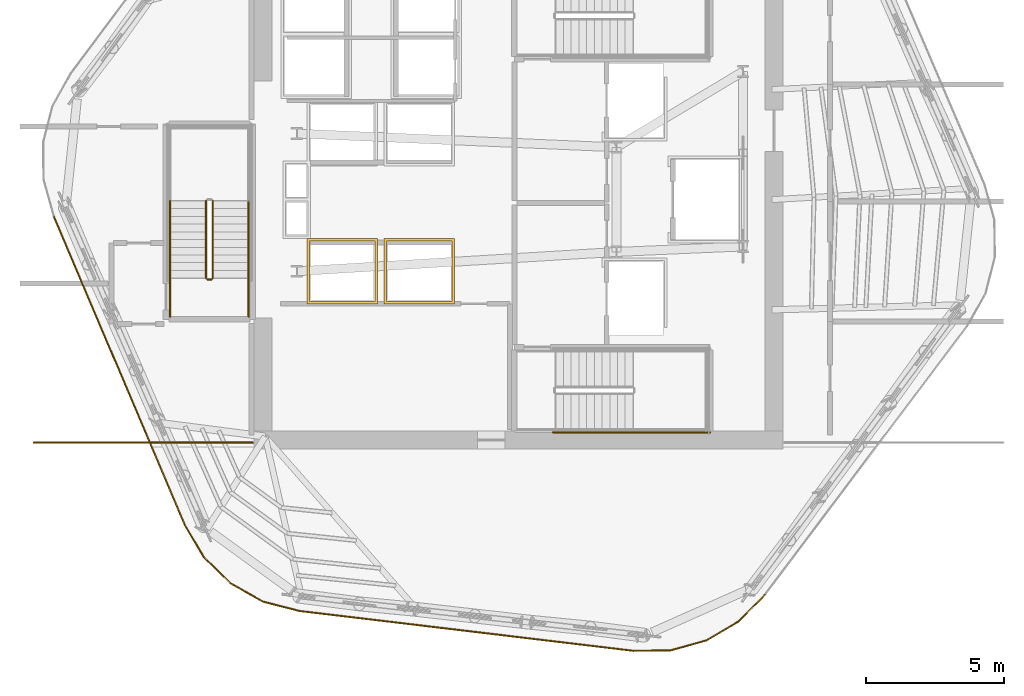
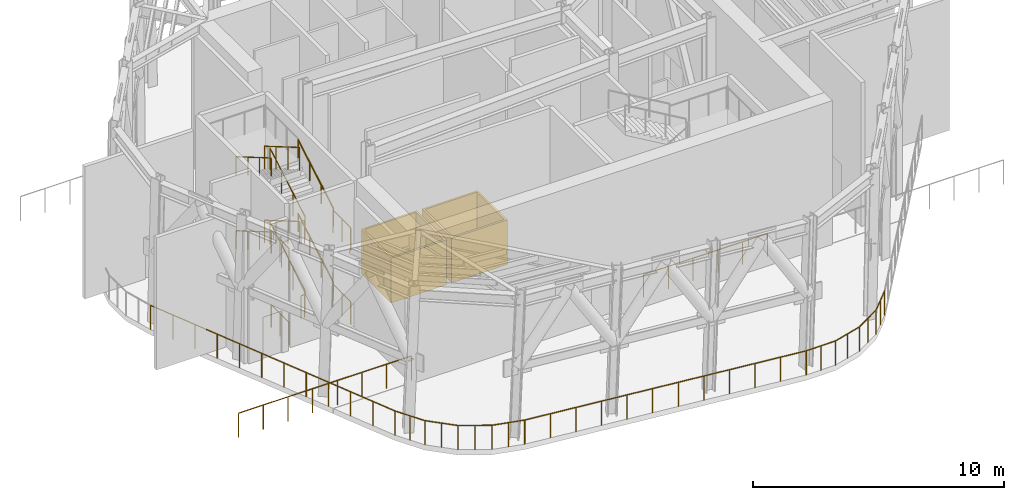
# One storey, part 7 of 10: 26 railings, 2 coverings.
"""IFC4 building model written with IfcOpenShell, lengths in metres."""

import ifcopenshell
import ifcopenshell.guid

model = None  # the IFC model being written
_history = None  # IfcOwnerHistory: only IFC2X3 demands one
_inside = {}  # id of a spatial element -> (the spatial element, [elements in it])
_under = {}  # id of a project, library or spatial element -> (it, [spatial elements below it])
_declared = {}  # id of a project -> (the project, [libraries it declares])
_typed = {}  # id of a type object -> (the type object, [elements of that type])
_made_of = {}  # id of a material, layer set ... -> (it, [elements and type objects made of it])


def new_model(schema):
    """Start an empty IFC model of exactly this schema.

    Asked for "IFC4X3", IfcOpenShell would pick the latest addendum, in which some entities
    have other attributes; the version numbers below select the first issue.
    IFC2X3 requires an IfcOwnerHistory on every rooted entity: one is made here for all.
    """
    global model, _history
    if schema == "IFC4X3":
        model = ifcopenshell.file(schema_version=(4, 3, 0, 0))
    else:
        model = ifcopenshell.file(schema=schema)
    _inside.clear()
    _under.clear()
    _declared.clear()
    _typed.clear()
    _made_of.clear()
    _history = None
    if model.schema == "IFC2X3":
        org = make("IfcOrganization", Name="unknown")
        user = make(
            "IfcPersonAndOrganization",
            ThePerson=make("IfcPerson", FamilyName="unknown"),
            TheOrganization=org,
        )
        app = make(
            "IfcApplication",
            ApplicationDeveloper=org,
            Version="unknown",
            ApplicationFullName="unknown",
            ApplicationIdentifier="unknown",
        )
        _history = make(
            "IfcOwnerHistory",
            OwningUser=user,
            OwningApplication=app,
            ChangeAction="ADDED",
            CreationDate=0,
        )
    return model


def make(cls, **values):
    """One entity of the class cls with the attributes given. An attribute that is None is left unset."""
    return model.create_entity(
        cls, **{name: value for name, value in values.items() if value is not None}
    )


def rooted(cls, **values):
    """An entity with a GlobalId (a new one), such as an element, a storey or a relation."""
    return make(cls, GlobalId=ifcopenshell.guid.new(), OwnerHistory=_history, **values)


def si_unit(unit_type, name, prefix=None):
    """IfcSIUnit, for example si_unit("LENGTHUNIT", "METRE", prefix="MILLI")."""
    return make("IfcSIUnit", UnitType=unit_type, Prefix=prefix, Name=name)


def assignment(units):
    """IfcUnitAssignment: the units of a project."""
    return None if units is None else make("IfcUnitAssignment", Units=units)


def point(xyz):
    """IfcCartesianPoint."""
    return None if xyz is None else make("IfcCartesianPoint", Coordinates=xyz)


def direction(xyz):
    """IfcDirection."""
    return None if xyz is None else make("IfcDirection", DirectionRatios=xyz)


def frame(location, z_axis=None, x_axis=None):
    """IfcAxis2Placement3D, a coordinate frame: its origin and axes. An axis left out is left unset."""
    return make(
        "IfcAxis2Placement3D",
        Location=point(location),
        Axis=direction(z_axis),
        RefDirection=direction(x_axis),
    )


def frame_2d(location, x_axis=None):
    """IfcAxis2Placement2D, a coordinate frame in the plane: its origin and x axis."""
    return make(
        "IfcAxis2Placement2D", Location=point(location), RefDirection=direction(x_axis)
    )


def origin():
    """The frame at (0, 0, 0) with its axes left unset."""
    return frame((0.0, 0.0, 0.0))


def origin_2d():
    """The frame at (0, 0) in the plane with its x axis left unset."""
    return frame_2d((0.0, 0.0))


def place(relative_to, where):
    """IfcLocalPlacement: puts the frame where relative to a parent placement (None: the world)."""
    return make(
        "IfcLocalPlacement", PlacementRelTo=relative_to, RelativePlacement=where
    )


def context(
    kind, dimensions, precision=None, world=None, true_north=None, identifier=None
):
    """IfcGeometricRepresentationContext, for example the 3D "Model" context."""
    return make(
        "IfcGeometricRepresentationContext",
        ContextIdentifier=identifier,
        ContextType=kind,
        CoordinateSpaceDimension=dimensions,
        Precision=precision,
        WorldCoordinateSystem=world,
        TrueNorth=true_north,
    )


def subcontext(parent, identifier, kind, view, scale=None):
    """IfcGeometricRepresentationSubContext, for example "Body" below "Model"."""
    return make(
        "IfcGeometricRepresentationSubContext",
        ContextIdentifier=identifier,
        ContextType=kind,
        ParentContext=parent,
        TargetScale=scale,
        TargetView=view,
    )


def project(units=None, contexts=None):
    """IfcProject with its units and contexts."""
    return rooted(
        "IfcProject",
        Name="project",
        RepresentationContexts=contexts,
        UnitsInContext=assignment(units),
    )


def spatial(cls, under=None, at=None, **own):
    """A site, building, storey or space (cls), placed at a placement, below another one or the project."""
    s = rooted(cls, ObjectPlacement=at, **own)
    if under is not None:
        _under.setdefault(under.id(), (under, []))[1].append(s)
    return s


def polyline(points):
    """IfcPolyline through the points."""
    return make("IfcPolyline", Points=[point(p) for p in points])


def profile(cls, at=None, kind="AREA", **sizes):
    """A parametric profile (cls). Its sizes go by their IFC names, for example OverallWidth=200.0."""
    return make(cls, ProfileType=kind, Position=at, **sizes)


def circle(**sizes):
    """IfcCircleProfileDef."""
    return profile("IfcCircleProfileDef", **sizes)


def outline(outer, holes=None, kind="AREA"):
    """IfcArbitraryClosedProfileDef: a profile drawn as a closed curve; with holes, ...WithVoids."""
    if holes is None:
        return make("IfcArbitraryClosedProfileDef", ProfileType=kind, OuterCurve=outer)
    return make(
        "IfcArbitraryProfileDefWithVoids",
        ProfileType=kind,
        OuterCurve=outer,
        InnerCurves=holes,
    )


def extrude(swept, where, along, depth):
    """IfcExtrudedAreaSolid: the profile swept, set in the frame where, extruded along a direction by depth."""
    return make(
        "IfcExtrudedAreaSolid",
        SweptArea=swept,
        Position=where,
        ExtrudedDirection=direction(along),
        Depth=depth,
    )


def shape(context_of_items, identifier, shape_type, items):
    """IfcShapeRepresentation: the items that make up one representation, for example the "Body"."""
    return make(
        "IfcShapeRepresentation",
        ContextOfItems=context_of_items,
        RepresentationIdentifier=identifier,
        RepresentationType=shape_type,
        Items=items,
    )


def material(Name=None, Category=None):
    """IfcMaterial."""
    return make("IfcMaterial", Name=Name, Category=Category)


def layer(
    of_material, thickness, ventilated=None, Name=None, Category=None, Priority=None
):
    """IfcMaterialLayer: one layer of a wall or slab, of a material (None: an air gap)."""
    return make(
        "IfcMaterialLayer",
        Material=of_material,
        LayerThickness=thickness,
        IsVentilated=ventilated,
        Name=Name,
        Category=Category,
        Priority=Priority,
    )


def layer_set(layers, Name=None):
    """IfcMaterialLayerSet."""
    return make("IfcMaterialLayerSet", MaterialLayers=layers, LayerSetName=Name)


def made_of(thing, what):
    """Note that an element or type object is made of a material, layer set ...; save() writes the relation."""
    if what is not None:
        _made_of.setdefault(what.id(), (what, []))[1].append(thing)
    return thing


def type_object(cls, material=None, **own):
    """A type object (cls), such as IfcWallType, which elements share."""
    return made_of(rooted(cls, **own), material)


def element(
    cls,
    number,
    at=None,
    inside=None,
    cuts=None,
    type_object=None,
    material=None,
    context=None,
    identifier="Body",
    shape_type=None,
    held_by="IfcProductDefinitionShape",
    body=None,
    shapes=None,
    **own,
):
    """One element of the class cls, such as IfcWall. Its Tag is "e" and its number.

    at: its placement. inside: the storey or other place that contains it. cuts: it is an
    opening in that element (IfcRelVoidsElement). A single representation is given by context,
    identifier, shape_type and body (its items); several are given by shapes. held_by: the class
    of the entity that holds the representations. save() writes the other relations.
    """
    e = rooted(cls, Tag="e%d" % number, ObjectPlacement=at, **own)
    if body is not None:
        shapes = [shape(context, identifier, shape_type, body)]
    if shapes is not None:
        e.Representation = make(held_by, Representations=shapes)
    if inside is not None:
        _inside.setdefault(inside.id(), (inside, []))[1].append(e)
    if cuts is not None:
        rooted(
            "IfcRelVoidsElement", RelatingBuildingElement=cuts, RelatedOpeningElement=e
        )
    if type_object is not None:
        _typed.setdefault(type_object.id(), (type_object, []))[1].append(e)
    return made_of(e, material)


def aggregate(whole, parts):
    """IfcRelAggregates: a whole, such as a stair, and the parts it consists of."""
    return rooted("IfcRelAggregates", RelatingObject=whole, RelatedObjects=parts)


def save(model, path):
    """Write the relations noted so far, then the file.

    IfcRelAggregates (storeys below a building ...), IfcRelContainedInSpatialStructure (elements
    in a storey), IfcRelDefinesByType, IfcRelAssociatesMaterial and IfcRelDeclares: one each for
    every whole, place, type object, material and project.
    """
    for whole, parts in _under.values():
        aggregate(whole, parts)
    for where, things in _inside.values():
        rooted(
            "IfcRelContainedInSpatialStructure",
            RelatedElements=things,
            RelatingStructure=where,
        )
    for kind, things in _typed.values():
        rooted("IfcRelDefinesByType", RelatedObjects=things, RelatingType=kind)
    for what, things in _made_of.values():
        rooted("IfcRelAssociatesMaterial", RelatedObjects=things, RelatingMaterial=what)
    for by, libraries in _declared.values():
        rooted("IfcRelDeclares", RelatingContext=by, RelatedDefinitions=libraries)
    model.write(path)


model = new_model("IFC4")

# Units and contexts
model_context = context("Model", 3, precision=1e-05, world=origin(), true_north=direction((0.0, 1.0)))
body_context = subcontext(model_context, "Body", "Model", "MODEL_VIEW")
ifc_project = project(units=[si_unit("LENGTHUNIT", "METRE"), si_unit("AREAUNIT", "SQUARE_METRE"), si_unit("VOLUMEUNIT", "CUBIC_METRE"), si_unit("PLANEANGLEUNIT", "RADIAN"), si_unit("MASSUNIT", "GRAM", prefix="KILO")], contexts=[model_context])

# Site, building, storey
site_placement = place(None, origin())
site = spatial("IfcSite", under=ifc_project, at=site_placement, CompositionType="ELEMENT")
building_placement = place(site_placement, origin())
building = spatial("IfcBuilding", under=site, at=building_placement, Name="Valkerne Bourse Tower", CompositionType="ELEMENT")
storey_placement = place(building_placement, frame((0.0, 0.0, 251.199951171875)))
storey = spatial("IfcBuildingStorey", under=building, at=storey_placement, Name="L64", CompositionType="ELEMENT", Elevation=251.199951171875)

# Coverings
ifc_material_1 = material(Name="Gypsum Shaftwall Liner Board", Category="gypsum")
ifc_layer = layer(ifc_material_1, 0.080078125)
ifc_layer_set = layer_set([ifc_layer], Name="Gypsum Shaftwall Liner Board")
covering_type = type_object("IfcCoveringType", Name="COV-SHF-CLAD", PredefinedType="CLADDING", material=ifc_layer_set)
covering_1_placement = place(storey_placement, origin())
element("IfcCovering", 1, at=covering_1_placement, inside=storey, type_object=covering_type, Name="L64 Hoistway & Riser Shaftwall Liner 01", PredefinedType="CLADDING", context=body_context, shape_type="SweptSolid", body=[
    extrude(outline(polyline([(41.679931640625, 25.580078125), (41.679931640625, 23.219970703125), (39.1201171875, 23.219970703125), (39.1201171875, 25.580078125), (41.679931640625, 25.580078125)]), holes=[polyline([(41.590087890625, 25.489990234375), (39.2099609375, 25.489990234375), (39.2099609375, 23.31005859375), (41.590087890625, 23.31005859375), (41.590087890625, 25.489990234375)])]), origin(), (0.0, 0.0, 1.0), 2.179931640625),
])
covering_2_placement = place(storey_placement, origin())
element("IfcCovering", 2, at=covering_2_placement, inside=storey, type_object=covering_type, Name="L64 Hoistway & Riser Shaftwall Liner 02", PredefinedType="CLADDING", context=body_context, shape_type="SweptSolid", body=[
    extrude(outline(polyline([(44.47998046875, 23.219970703125), (41.919921875, 23.219970703125), (41.919921875, 25.580078125), (44.47998046875, 25.580078125), (44.47998046875, 23.219970703125)]), holes=[polyline([(42.010009765625, 25.489990234375), (42.010009765625, 23.31005859375), (44.389892578125, 23.31005859375), (44.389892578125, 25.489990234375), (42.010009765625, 25.489990234375)])]), origin(), (0.0, 0.0, 1.0), 2.179931640625),
])

# Railings
ifc_material_2 = material(Name="Stainless Steel AISI 316", Category="steel")
railing_type_1 = type_object("IfcRailingType", Name="RLG-PORTAL-1200", PredefinedType="GUARDRAIL", material=ifc_material_2)
railing_1_placement = place(storey_placement, frame((29.90966796875, 26.425048828125, 0.0)))
element("IfcRailing", 3, at=railing_1_placement, inside=storey, type_object=railing_type_1, Name="L64 Perimeter Guard Railing GRD-L64-HEX-15", PredefinedType="GUARDRAIL", context=body_context, shape_type="SweptSolid", body=[
    extrude(circle(Radius=0.02392578125, at=origin_2d()), frame((0.0, 0.0, 1.17578125), z_axis=(0.390815368318, -0.920469091217, 0.0), x_axis=(0.920469091217, 0.390815368318, 0.0)), (0.0, 0.0, 1.0), 12.207275390625),
    extrude(circle(Radius=0.02099609375, at=origin_2d()), origin(), (0.0, 0.0, 1.0), 1.15185546875),
    extrude(circle(Radius=0.02099609375, at=origin_2d()), frame((0.43359375, -1.021484375, 0.0)), (0.0, 0.0, 1.0), 1.15185546875),
    extrude(circle(Radius=0.02099609375, at=origin_2d()), frame((0.867431640625, -2.04296875, 0.0)), (0.0, 0.0, 1.0), 1.15185546875),
    extrude(circle(Radius=0.02099609375, at=origin_2d()), frame((1.301025390625, -3.064453125, 0.0)), (0.0, 0.0, 1.0), 1.15185546875),
    extrude(circle(Radius=0.02099609375, at=origin_2d()), frame((1.73486328125, -4.0859375, 0.0)), (0.0, 0.0, 1.0), 1.15185546875),
    extrude(circle(Radius=0.02099609375, at=origin_2d()), frame((2.16845703125, -5.107421875, 0.0)), (0.0, 0.0, 1.0), 1.15185546875),
    extrude(circle(Radius=0.02099609375, at=origin_2d()), frame((2.602294921875, -6.12890625, 0.0)), (0.0, 0.0, 1.0), 1.15185546875),
    extrude(circle(Radius=0.02099609375, at=origin_2d()), frame((3.035888671875, -7.150390625, 0.0)), (0.0, 0.0, 1.0), 1.15185546875),
    extrude(circle(Radius=0.02099609375, at=origin_2d()), frame((3.4697265625, -8.171875, 0.0)), (0.0, 0.0, 1.0), 1.15185546875),
    extrude(circle(Radius=0.02099609375, at=origin_2d()), frame((3.9033203125, -9.193359375, 0.0)), (0.0, 0.0, 1.0), 1.15185546875),
    extrude(circle(Radius=0.02099609375, at=origin_2d()), frame((4.337158203125, -10.21484375, 0.0)), (0.0, 0.0, 1.0), 1.15185546875),
    extrude(circle(Radius=0.02099609375, at=origin_2d()), frame((4.770751953125, -11.236328125, 0.0)), (0.0, 0.0, 1.0), 1.15185546875),
])
railing_2_placement = place(storey_placement, frame((34.680419921875, 15.188720703125, 0.0)))
element("IfcRailing", 4, at=railing_2_placement, inside=storey, type_object=railing_type_1, Name="L64 Perimeter Guard Railing GRD-L64-HEX-16", PredefinedType="GUARDRAIL", context=body_context, shape_type="SweptSolid", body=[
    extrude(circle(Radius=0.02392578125, at=origin_2d()), frame((0.0, 0.0, 1.17578125), z_axis=(0.509117024291, -0.860697307755, 0.0), x_axis=(0.860697307755, 0.509117024291, 0.0)), (0.0, 0.0, 1.0), 1.357666015625),
    extrude(circle(Radius=0.02099609375, at=origin_2d()), origin(), (0.0, 0.0, 1.0), 1.15185546875),
    extrude(circle(Radius=0.02099609375, at=origin_2d()), frame((0.345703125, -0.584228515625, 0.0)), (0.0, 0.0, 1.0), 1.15185546875),
    extrude(circle(Radius=0.02099609375, at=origin_2d()), frame((0.691162109375, -1.16845703125, 0.0)), (0.0, 0.0, 1.0), 1.15185546875),
])
railing_3_placement = place(storey_placement, frame((35.37158203125, 14.020263671875, 0.0)))
element("IfcRailing", 5, at=railing_3_placement, inside=storey, type_object=railing_type_1, Name="L64 Perimeter Guard Railing GRD-L64-HEX-17", PredefinedType="GUARDRAIL", context=body_context, shape_type="SweptSolid", body=[
    extrude(circle(Radius=0.02392578125, at=origin_2d()), frame((0.0, 0.0, 1.17578125), z_axis=(0.714353076997, -0.699785453825, 0.0), x_axis=(0.699785453825, 0.714353076997, 0.0)), (0.0, 0.0, 1.0), 1.357421875),
    extrude(circle(Radius=0.02099609375, at=origin_2d()), origin(), (0.0, 0.0, 1.0), 1.15185546875),
    extrude(circle(Radius=0.02099609375, at=origin_2d()), frame((0.48486328125, -0.47509765625, 0.0)), (0.0, 0.0, 1.0), 1.15185546875),
    extrude(circle(Radius=0.02099609375, at=origin_2d()), frame((0.9697265625, -0.949951171875, 0.0)), (0.0, 0.0, 1.0), 1.15185546875),
])
railing_4_placement = place(storey_placement, frame((36.34130859375, 13.0703125, 0.0)))
element("IfcRailing", 6, at=railing_4_placement, inside=storey, type_object=railing_type_1, Name="L64 Perimeter Guard Railing GRD-L64-HEX-18", PredefinedType="GUARDRAIL", context=body_context, shape_type="SweptSolid", body=[
    extrude(circle(Radius=0.02392578125, at=origin_2d()), frame((0.0, 0.0, 1.17578125), z_axis=(0.871248711082, -0.490841811012, 0.0), x_axis=(0.490841811012, 0.871248711082, 0.0)), (0.0, 0.0, 1.0), 1.357421875),
    extrude(circle(Radius=0.02099609375, at=origin_2d()), origin(), (0.0, 0.0, 1.0), 1.15185546875),
    extrude(circle(Radius=0.02099609375, at=origin_2d()), frame((0.59130859375, -0.3330078125, 0.0)), (0.0, 0.0, 1.0), 1.15185546875),
    extrude(circle(Radius=0.02099609375, at=origin_2d()), frame((1.1826171875, -0.666259765625, 0.0)), (0.0, 0.0, 1.0), 1.15185546875),
])
railing_5_placement = place(storey_placement, frame((37.52392578125, 12.404052734375, 0.0)))
element("IfcRailing", 7, at=railing_5_placement, inside=storey, type_object=railing_type_1, Name="L64 Perimeter Guard Railing GRD-L64-HEX-19", PredefinedType="GUARDRAIL", context=body_context, shape_type="SweptSolid", body=[
    extrude(circle(Radius=0.02392578125, at=origin_2d()), frame((0.0, 0.0, 1.17578125), z_axis=(0.968578385495, -0.248708486287, 0.0), x_axis=(0.248708486287, 0.968578385495, 0.0)), (0.0, 0.0, 1.0), 1.357666015625),
    extrude(circle(Radius=0.02099609375, at=origin_2d()), origin(), (0.0, 0.0, 1.0), 1.15185546875),
    extrude(circle(Radius=0.02099609375, at=origin_2d()), frame((0.657470703125, -0.1689453125, 0.0)), (0.0, 0.0, 1.0), 1.15185546875),
    extrude(circle(Radius=0.02099609375, at=origin_2d()), frame((1.31494140625, -0.337646484375, 0.0)), (0.0, 0.0, 1.0), 1.15185546875),
])
railing_6_placement = place(storey_placement, frame((38.8388671875, 12.06640625, 0.0)))
element("IfcRailing", 8, at=railing_6_placement, inside=storey, type_object=railing_type_1, Name="L64 Perimeter Guard Railing GRD-L64-HEX-20", PredefinedType="GUARDRAIL", context=body_context, shape_type="SweptSolid", body=[
    extrude(circle(Radius=0.02392578125, at=origin_2d()), frame((0.0, 0.0, 1.17578125), z_axis=(0.99295441666, -0.118496946942, 0.0), x_axis=(0.118496946942, 0.99295441666, 0.0)), (0.0, 0.0, 1.0), 12.207275390625),
    extrude(circle(Radius=0.02099609375, at=origin_2d()), origin(), (0.0, 0.0, 1.0), 1.15185546875),
    extrude(circle(Radius=0.02099609375, at=origin_2d()), frame((1.10205078125, -0.131591796875, 0.0)), (0.0, 0.0, 1.0), 1.15185546875),
    extrude(circle(Radius=0.02099609375, at=origin_2d()), frame((2.203857421875, -0.262939453125, 0.0)), (0.0, 0.0, 1.0), 1.15185546875),
    extrude(circle(Radius=0.02099609375, at=origin_2d()), frame((3.305908203125, -0.39453125, 0.0)), (0.0, 0.0, 1.0), 1.15185546875),
    extrude(circle(Radius=0.02099609375, at=origin_2d()), frame((4.40771484375, -0.526123046875, 0.0)), (0.0, 0.0, 1.0), 1.15185546875),
    extrude(circle(Radius=0.02099609375, at=origin_2d()), frame((5.509765625, -0.657470703125, 0.0)), (0.0, 0.0, 1.0), 1.15185546875),
    extrude(circle(Radius=0.02099609375, at=origin_2d()), frame((6.611572265625, -0.7890625, 0.0)), (0.0, 0.0, 1.0), 1.15185546875),
    extrude(circle(Radius=0.02099609375, at=origin_2d()), frame((7.713623046875, -0.92041015625, 0.0)), (0.0, 0.0, 1.0), 1.15185546875),
    extrude(circle(Radius=0.02099609375, at=origin_2d()), frame((8.8154296875, -1.052001953125, 0.0)), (0.0, 0.0, 1.0), 1.15185546875),
    extrude(circle(Radius=0.02099609375, at=origin_2d()), frame((9.91748046875, -1.18359375, 0.0)), (0.0, 0.0, 1.0), 1.15185546875),
    extrude(circle(Radius=0.02099609375, at=origin_2d()), frame((11.019287109375, -1.31494140625, 0.0)), (0.0, 0.0, 1.0), 1.15185546875),
    extrude(circle(Radius=0.02099609375, at=origin_2d()), frame((12.121337890625, -1.446533203125, 0.0)), (0.0, 0.0, 1.0), 1.15185546875),
])
railing_7_placement = place(storey_placement, frame((50.960205078125, 10.619873046875, 0.0)))
element("IfcRailing", 9, at=railing_7_placement, inside=storey, type_object=railing_type_1, Name="L64 Perimeter Guard Railing GRD-L64-HEX-21", PredefinedType="GUARDRAIL", context=body_context, shape_type="SweptSolid", body=[
    extrude(circle(Radius=0.02392578125, at=origin_2d()), frame((0.0, 0.0, 1.17578125), z_axis=(0.999945575157, 0.010432963367, 0.0), x_axis=(-0.010432963367, 0.999945575157, 0.0)), (0.0, 0.0, 1.0), 1.357177734375),
    extrude(circle(Radius=0.02099609375, at=origin_2d()), origin(), (0.0, 0.0, 1.0), 1.15185546875),
    extrude(circle(Radius=0.02099609375, at=origin_2d()), frame((0.6787109375, 0.007080078125, 0.0)), (0.0, 0.0, 1.0), 1.15185546875),
    extrude(circle(Radius=0.02099609375, at=origin_2d()), frame((1.357177734375, 0.01416015625, 0.0)), (0.0, 0.0, 1.0), 1.15185546875),
])
railing_8_placement = place(storey_placement, frame((52.3173828125, 10.634033203125, 0.0)))
element("IfcRailing", 10, at=railing_8_placement, inside=storey, type_object=railing_type_1, Name="L64 Perimeter Guard Railing GRD-L64-HEX-22", PredefinedType="GUARDRAIL", context=body_context, shape_type="SweptSolid", body=[
    extrude(circle(Radius=0.02392578125, at=origin_2d()), frame((0.0, 0.0, 1.17578125), z_axis=(0.963135643856, 0.269016229128, 0.0), x_axis=(-0.269016229128, 0.963135643856, 0.0)), (0.0, 0.0, 1.0), 1.357666015625),
    extrude(circle(Radius=0.02099609375, at=origin_2d()), origin(), (0.0, 0.0, 1.0), 1.15185546875),
    extrude(circle(Radius=0.02099609375, at=origin_2d()), frame((0.65380859375, 0.1826171875, 0.0)), (0.0, 0.0, 1.0), 1.15185546875),
    extrude(circle(Radius=0.02099609375, at=origin_2d()), frame((1.3076171875, 0.365234375, 0.0)), (0.0, 0.0, 1.0), 1.15185546875),
])
railing_9_placement = place(storey_placement, frame((53.625, 10.999267578125, 0.0)))
element("IfcRailing", 11, at=railing_9_placement, inside=storey, type_object=railing_type_1, Name="L64 Perimeter Guard Railing GRD-L64-HEX-23", PredefinedType="GUARDRAIL", context=body_context, shape_type="SweptSolid", body=[
    extrude(circle(Radius=0.02392578125, at=origin_2d()), frame((0.0, 0.0, 1.17578125), z_axis=(0.860776108214, 0.508983783169, 0.0), x_axis=(-0.508983783169, 0.860776108214, 0.0)), (0.0, 0.0, 1.0), 1.357421875),
    extrude(circle(Radius=0.02099609375, at=origin_2d()), origin(), (0.0, 0.0, 1.0), 1.15185546875),
    extrude(circle(Radius=0.02099609375, at=origin_2d()), frame((0.584228515625, 0.345458984375, 0.0)), (0.0, 0.0, 1.0), 1.15185546875),
    extrude(circle(Radius=0.02099609375, at=origin_2d()), frame((1.16845703125, 0.69091796875, 0.0)), (0.0, 0.0, 1.0), 1.15185546875),
])
railing_10_placement = place(storey_placement, frame((54.79345703125, 11.690185546875, 0.0)))
element("IfcRailing", 12, at=railing_10_placement, inside=storey, type_object=railing_type_1, Name="L64 Perimeter Guard Railing GRD-L64-HEX-24", PredefinedType="GUARDRAIL", context=body_context, shape_type="SweptSolid", body=[
    extrude(circle(Radius=0.02392578125, at=origin_2d()), frame((0.0, 0.0, 1.17578125), z_axis=(0.699603751075, 0.714531029054, 0.0), x_axis=(-0.714531029054, 0.699603751075, 0.0)), (0.0, 0.0, 1.0), 1.357421875),
    extrude(circle(Radius=0.02099609375, at=origin_2d()), origin(), (0.0, 0.0, 1.0), 1.15185546875),
    extrude(circle(Radius=0.02099609375, at=origin_2d()), frame((0.474853515625, 0.48486328125, 0.0)), (0.0, 0.0, 1.0), 1.15185546875),
    extrude(circle(Radius=0.02099609375, at=origin_2d()), frame((0.94970703125, 0.969970703125, 0.0)), (0.0, 0.0, 1.0), 1.15185546875),
])
railing_11_placement = place(storey_placement, frame((29.199951171875, 18.179931640625, 0.0)))
element("IfcRailing", 13, at=railing_11_placement, inside=storey, type_object=railing_type_1, Name="L64 Wind Portal Bridge Guard SW", PredefinedType="GUARDRAIL", context=body_context, shape_type="SweptSolid", body=[
    extrude(circle(Radius=0.02392578125, at=origin_2d()), frame((0.0, 0.0, 1.17578125), z_axis=(1.0, 0.0, 0.0), x_axis=(0.0, 1.0, 0.0)), (0.0, 0.0, 1.0), 7.949951171875),
    extrude(circle(Radius=0.02099609375, at=origin_2d()), origin(), (0.0, 0.0, 1.0), 1.15185546875),
    extrude(circle(Radius=0.02099609375, at=origin_2d()), frame((1.1357421875, 0.0, 0.0)), (0.0, 0.0, 1.0), 1.15185546875),
    extrude(circle(Radius=0.02099609375, at=origin_2d()), frame((2.271484375, 0.0, 0.0)), (0.0, 0.0, 1.0), 1.15185546875),
    extrude(circle(Radius=0.02099609375, at=origin_2d()), frame((3.4072265625, 0.0, 0.0)), (0.0, 0.0, 1.0), 1.15185546875),
    extrude(circle(Radius=0.02099609375, at=origin_2d()), frame((4.542724609375, 0.0, 0.0)), (0.0, 0.0, 1.0), 1.15185546875),
    extrude(circle(Radius=0.02099609375, at=origin_2d()), frame((5.678466796875, 0.0, 0.0)), (0.0, 0.0, 1.0), 1.15185546875),
    extrude(circle(Radius=0.02099609375, at=origin_2d()), frame((6.814208984375, 0.0, 0.0)), (0.0, 0.0, 1.0), 1.15185546875),
    extrude(circle(Radius=0.02099609375, at=origin_2d()), frame((7.949951171875, 0.0, 0.0)), (0.0, 0.0, 1.0), 1.15185546875),
])
ifc_material_3 = material(Name="Galvanised Painted Steel", Category="steel")
railing_type_2 = type_object("IfcRailingType", Name="RLG-ST-GUARD-1120", PredefinedType="GUARDRAIL", material=ifc_material_3)
railing_12_placement = place(storey_placement, frame((48.050048828125, 18.550048828125, 0.0)))
element("IfcRailing", 14, at=railing_12_placement, inside=storey, type_object=railing_type_2, Name="L64 ST-1 stair guard 19", PredefinedType="GUARDRAIL", context=body_context, shape_type="SweptSolid", body=[
    extrude(circle(Radius=0.02392578125, at=origin_2d()), frame((0.0, 0.0, 1.09619140625), z_axis=(1.0, 0.0, 0.0), x_axis=(0.0, 1.0, 0.0)), (0.0, 0.0, 1.0), 5.699951171875),
    extrude(circle(Radius=0.02099609375, at=origin_2d()), origin(), (0.0, 0.0, 1.0), 1.072021484375),
    extrude(circle(Radius=0.02099609375, at=origin_2d()), frame((1.139892578125, 0.0, 0.0)), (0.0, 0.0, 1.0), 1.072021484375),
    extrude(circle(Radius=0.02099609375, at=origin_2d()), frame((2.280029296875, 0.0, 0.0)), (0.0, 0.0, 1.0), 1.072021484375),
    extrude(circle(Radius=0.02099609375, at=origin_2d()), frame((3.419921875, 0.0, 0.0)), (0.0, 0.0, 1.0), 1.072021484375),
    extrude(circle(Radius=0.02099609375, at=origin_2d()), frame((4.56005859375, 0.0, 0.0)), (0.0, 0.0, 1.0), 1.072021484375),
    extrude(circle(Radius=0.02099609375, at=origin_2d()), frame((5.699951171875, 0.0, 0.0)), (0.0, 0.0, 1.0), 1.072021484375),
])
railing_13_placement = place(storey_placement, frame((35.699951171875, 24.14990234375, 0.16357421875)))
element("IfcRailing", 15, at=railing_13_placement, inside=storey, type_object=railing_type_2, Name="L64 ST-3 stair guard 1", PredefinedType="GUARDRAIL", context=body_context, shape_type="SweptSolid", body=[
    extrude(circle(Radius=0.02392578125, at=origin_2d()), frame((0.0, 0.0, 1.09619140625), z_axis=(0.0, 0.863360870873, 0.504586966384), x_axis=(-1.0, 0.0, 0.0)), (0.0, 0.0, 1.0), 3.2431640625),
    extrude(circle(Radius=0.02099609375, at=origin_2d()), origin(), (0.0, 0.0, 1.0), 1.072021484375),
    extrude(circle(Radius=0.02099609375, at=origin_2d()), frame((0.0, 0.933349609375, 0.54541015625)), (0.0, 0.0, 1.0), 1.072021484375),
    extrude(circle(Radius=0.02099609375, at=origin_2d()), frame((0.0, 1.86669921875, 1.091064453125)), (0.0, 0.0, 1.0), 1.072021484375),
    extrude(circle(Radius=0.02099609375, at=origin_2d()), frame((0.0, 2.800048828125, 1.636474609375)), (0.0, 0.0, 1.0), 1.072021484375),
])
railing_14_placement = place(storey_placement, frame((35.449951171875, 26.949951171875, 1.963623046875)))
element("IfcRailing", 16, at=railing_14_placement, inside=storey, type_object=railing_type_2, Name="L64 ST-3 stair guard 6", PredefinedType="GUARDRAIL", context=body_context, shape_type="SweptSolid", body=[
    extrude(circle(Radius=0.02392578125, at=origin_2d()), frame((0.0, 0.0, 1.09619140625), z_axis=(0.0, -0.863360870873, 0.504586966384), x_axis=(1.0, 0.0, 0.0)), (0.0, 0.0, 1.0), 3.2431640625),
    extrude(circle(Radius=0.02099609375, at=origin_2d()), origin(), (0.0, 0.0, 1.0), 1.072021484375),
    extrude(circle(Radius=0.02099609375, at=origin_2d()), frame((0.0, -0.933349609375, 0.54541015625)), (0.0, 0.0, 1.0), 1.072021484375),
    extrude(circle(Radius=0.02099609375, at=origin_2d()), frame((0.0, -1.86669921875, 1.091064453125)), (0.0, 0.0, 1.0), 1.072021484375),
    extrude(circle(Radius=0.02099609375, at=origin_2d()), frame((0.0, -2.800048828125, 1.636474609375)), (0.0, 0.0, 1.0), 1.072021484375),
])
railing_15_placement = place(storey_placement, frame((35.64990234375, 24.10009765625, 3.60009765625)))
element("IfcRailing", 17, at=railing_15_placement, inside=storey, type_object=railing_type_2, Name="L64 ST-3 stair guard 7", PredefinedType="GUARDRAIL", context=body_context, shape_type="SweptSolid", body=[
    extrude(circle(Radius=0.02392578125, at=origin_2d()), frame((0.0, 0.0, 1.09619140625), z_axis=(-1.0, 0.0, 0.0), x_axis=(0.0, -1.0, 0.0)), (0.0, 0.0, 1.0), 0.14990234375),
    extrude(circle(Radius=0.02099609375, at=origin_2d()), origin(), (0.0, 0.0, 1.0), 1.072021484375),
    extrude(circle(Radius=0.02099609375, at=origin_2d()), frame((-0.14990234375, 0.0, 0.0)), (0.0, 0.0, 1.0), 1.072021484375),
])
for number, where, name in (
    (18, (37.0, 22.75, 3.60009765625), "L64 ST-3 stair guard 8"),
    (19, (34.14990234375, 22.75, 3.60009765625), "L64 ST-3 stair guard 9"),
):
    element("IfcRailing", number, at=place(storey_placement, frame(where)), inside=storey, type_object=railing_type_2, Name=name, PredefinedType="GUARDRAIL", context=body_context, shape_type="SweptSolid", body=[
        extrude(circle(Radius=0.02392578125, at=origin_2d()), frame((0.0, 0.0, 1.09619140625), z_axis=(0.0, 1.0, 0.0), x_axis=(-1.0, 0.0, 0.0)), (0.0, 0.0, 1.0), 1.39990234375),
        extrude(circle(Radius=0.02099609375, at=origin_2d()), origin(), (0.0, 0.0, 1.0), 1.072021484375),
        extrude(circle(Radius=0.02099609375, at=origin_2d()), frame((0.0, 0.699951171875, 0.0)), (0.0, 0.0, 1.0), 1.072021484375),
        extrude(circle(Radius=0.02099609375, at=origin_2d()), frame((0.0, 1.39990234375, 0.0)), (0.0, 0.0, 1.0), 1.072021484375),
    ])
railing_16_placement = place(storey_placement, frame((35.699951171875, 24.14990234375, 3.763671875)))
element("IfcRailing", 20, at=railing_16_placement, inside=storey, type_object=railing_type_2, Name="L64 ST-3 stair guard 10", PredefinedType="GUARDRAIL", context=body_context, shape_type="SweptSolid", body=[
    extrude(circle(Radius=0.02392578125, at=origin_2d()), frame((0.0, 0.0, 1.09619140625), z_axis=(0.0, 0.863360870873, 0.504586966384), x_axis=(-1.0, 0.0, 0.0)), (0.0, 0.0, 1.0), 3.2431640625),
    extrude(circle(Radius=0.02099609375, at=origin_2d()), origin(), (0.0, 0.0, 1.0), 1.072021484375),
    extrude(circle(Radius=0.02099609375, at=origin_2d()), frame((0.0, 0.933349609375, 0.54541015625)), (0.0, 0.0, 1.0), 1.072021484375),
    extrude(circle(Radius=0.02099609375, at=origin_2d()), frame((0.0, 1.86669921875, 1.091064453125)), (0.0, 0.0, 1.0), 1.072021484375),
    extrude(circle(Radius=0.02099609375, at=origin_2d()), frame((0.0, 2.800048828125, 1.636474609375)), (0.0, 0.0, 1.0), 1.072021484375),
])
railing_17_placement = place(storey_placement, frame((35.449951171875, 26.949951171875, 5.563720703125)))
element("IfcRailing", 21, at=railing_17_placement, inside=storey, type_object=railing_type_2, Name="L64 ST-3 stair guard 15", PredefinedType="GUARDRAIL", context=body_context, shape_type="SweptSolid", body=[
    extrude(circle(Radius=0.02392578125, at=origin_2d()), frame((0.0, 0.0, 1.09619140625), z_axis=(0.0, -0.863393664356, 0.504530851732), x_axis=(1.0, 0.0, 0.0)), (0.0, 0.0, 1.0), 3.2431640625),
    extrude(circle(Radius=0.02099609375, at=origin_2d()), origin(), (0.0, 0.0, 1.0), 1.072021484375),
    extrude(circle(Radius=0.02099609375, at=origin_2d()), frame((0.0, -0.933349609375, 0.54541015625)), (0.0, 0.0, 1.0), 1.072021484375),
    extrude(circle(Radius=0.02099609375, at=origin_2d()), frame((0.0, -1.86669921875, 1.0908203125)), (0.0, 0.0, 1.0), 1.072021484375),
    extrude(circle(Radius=0.02099609375, at=origin_2d()), frame((0.0, -2.800048828125, 1.63623046875)), (0.0, 0.0, 1.0), 1.072021484375),
])
railing_18_placement = place(storey_placement, frame((35.64990234375, 24.10009765625, 0.0)))
element("IfcRailing", 22, at=railing_18_placement, inside=storey, type_object=railing_type_2, Name="L64 ST-3 stair guard 16", PredefinedType="GUARDRAIL", context=body_context, shape_type="SweptSolid", body=[
    extrude(circle(Radius=0.02392578125, at=origin_2d()), frame((0.0, 0.0, 1.09619140625), z_axis=(-1.0, 0.0, 0.0), x_axis=(0.0, -1.0, 0.0)), (0.0, 0.0, 1.0), 0.14990234375),
    extrude(circle(Radius=0.02099609375, at=origin_2d()), origin(), (0.0, 0.0, 1.0), 1.072021484375),
    extrude(circle(Radius=0.02099609375, at=origin_2d()), frame((-0.14990234375, 0.0, 0.0)), (0.0, 0.0, 1.0), 1.072021484375),
])
for number, where, name in (
    (23, (37.0, 22.75, 0.0), "L64 ST-3 stair guard 17"),
    (24, (34.14990234375, 22.75, 0.0), "L64 ST-3 stair guard 18"),
):
    element("IfcRailing", number, at=place(storey_placement, frame(where)), inside=storey, type_object=railing_type_2, Name=name, PredefinedType="GUARDRAIL", context=body_context, shape_type="SweptSolid", body=[
        extrude(circle(Radius=0.02392578125, at=origin_2d()), frame((0.0, 0.0, 1.09619140625), z_axis=(0.0, 1.0, 0.0), x_axis=(-1.0, 0.0, 0.0)), (0.0, 0.0, 1.0), 1.39990234375),
        extrude(circle(Radius=0.02099609375, at=origin_2d()), origin(), (0.0, 0.0, 1.0), 1.072021484375),
        extrude(circle(Radius=0.02099609375, at=origin_2d()), frame((0.0, 0.699951171875, 0.0)), (0.0, 0.0, 1.0), 1.072021484375),
        extrude(circle(Radius=0.02099609375, at=origin_2d()), frame((0.0, 1.39990234375, 0.0)), (0.0, 0.0, 1.0), 1.072021484375),
    ])
railing_type_3 = type_object("IfcRailingType", Name="RLG-ST-HANDRAIL-900", PredefinedType="HANDRAIL", material=ifc_material_2)
railing_19_placement = place(storey_placement, frame((37.0, 24.14990234375, 0.327392578125)))
element("IfcRailing", 25, at=railing_19_placement, inside=storey, type_object=railing_type_3, Name="L64 ST-3 stair handrail 1", PredefinedType="HANDRAIL", context=body_context, shape_type="SweptSolid", body=[
    extrude(circle(Radius=0.02392578125, at=origin_2d()), frame((0.0, 0.0, 0.8759765625), z_axis=(0.0, 0.863393664356, 0.504530851732), x_axis=(-1.0, 0.0, 0.0)), (0.0, 0.0, 1.0), 3.2431640625),
    extrude(circle(Radius=0.02099609375, at=origin_2d()), origin(), (0.0, 0.0, 1.0), 0.851806640625),
    extrude(circle(Radius=0.02099609375, at=origin_2d()), frame((0.0, 0.933349609375, 0.54541015625)), (0.0, 0.0, 1.0), 0.851806640625),
    extrude(circle(Radius=0.02099609375, at=origin_2d()), frame((0.0, 1.86669921875, 1.0908203125)), (0.0, 0.0, 1.0), 0.851806640625),
    extrude(circle(Radius=0.02099609375, at=origin_2d()), frame((0.0, 2.800048828125, 1.63623046875)), (0.0, 0.0, 1.0), 0.851806640625),
])
railing_20_placement = place(storey_placement, frame((34.14990234375, 26.949951171875, 2.12744140625)))
element("IfcRailing", 26, at=railing_20_placement, inside=storey, type_object=railing_type_3, Name="L64 ST-3 stair handrail 2", PredefinedType="HANDRAIL", context=body_context, shape_type="SweptSolid", body=[
    extrude(circle(Radius=0.02392578125, at=origin_2d()), frame((0.0, 0.0, 0.8759765625), z_axis=(0.0, -0.863393664356, 0.504530851732), x_axis=(1.0, 0.0, 0.0)), (0.0, 0.0, 1.0), 3.2431640625),
    extrude(circle(Radius=0.02099609375, at=origin_2d()), origin(), (0.0, 0.0, 1.0), 0.851806640625),
    extrude(circle(Radius=0.02099609375, at=origin_2d()), frame((0.0, -0.933349609375, 0.54541015625)), (0.0, 0.0, 1.0), 0.851806640625),
    extrude(circle(Radius=0.02099609375, at=origin_2d()), frame((0.0, -1.86669921875, 1.0908203125)), (0.0, 0.0, 1.0), 0.851806640625),
    extrude(circle(Radius=0.02099609375, at=origin_2d()), frame((0.0, -2.800048828125, 1.63623046875)), (0.0, 0.0, 1.0), 0.851806640625),
])
railing_21_placement = place(storey_placement, frame((37.0, 24.14990234375, 3.92724609375)))
element("IfcRailing", 27, at=railing_21_placement, inside=storey, type_object=railing_type_3, Name="L64 ST-3 stair handrail 3", PredefinedType="HANDRAIL", context=body_context, shape_type="SweptSolid", body=[
    extrude(circle(Radius=0.02392578125, at=origin_2d()), frame((0.0, 0.0, 0.8759765625), z_axis=(0.0, 0.863360870873, 0.504586966384), x_axis=(-1.0, 0.0, 0.0)), (0.0, 0.0, 1.0), 3.2431640625),
    extrude(circle(Radius=0.02099609375, at=origin_2d()), origin(), (0.0, 0.0, 1.0), 0.851806640625),
    extrude(circle(Radius=0.02099609375, at=origin_2d()), frame((0.0, 0.933349609375, 0.54541015625)), (0.0, 0.0, 1.0), 0.851806640625),
    extrude(circle(Radius=0.02099609375, at=origin_2d()), frame((0.0, 1.86669921875, 1.091064453125)), (0.0, 0.0, 1.0), 0.851806640625),
    extrude(circle(Radius=0.02099609375, at=origin_2d()), frame((0.0, 2.800048828125, 1.636474609375)), (0.0, 0.0, 1.0), 0.851806640625),
])
railing_22_placement = place(storey_placement, frame((34.14990234375, 26.949951171875, 5.727294921875)))
element("IfcRailing", 28, at=railing_22_placement, inside=storey, type_object=railing_type_3, Name="L64 ST-3 stair handrail 4", PredefinedType="HANDRAIL", context=body_context, shape_type="SweptSolid", body=[
    extrude(circle(Radius=0.02392578125, at=origin_2d()), frame((0.0, 0.0, 0.8759765625), z_axis=(0.0, -0.863360870873, 0.504586966384), x_axis=(1.0, 0.0, 0.0)), (0.0, 0.0, 1.0), 3.2431640625),
    extrude(circle(Radius=0.02099609375, at=origin_2d()), origin(), (0.0, 0.0, 1.0), 0.851806640625),
    extrude(circle(Radius=0.02099609375, at=origin_2d()), frame((0.0, -0.933349609375, 0.54541015625)), (0.0, 0.0, 1.0), 0.851806640625),
    extrude(circle(Radius=0.02099609375, at=origin_2d()), frame((0.0, -1.86669921875, 1.091064453125)), (0.0, 0.0, 1.0), 0.851806640625),
    extrude(circle(Radius=0.02099609375, at=origin_2d()), frame((0.0, -2.800048828125, 1.636474609375)), (0.0, 0.0, 1.0), 0.851806640625),
])

save(model, "model.ifc")
